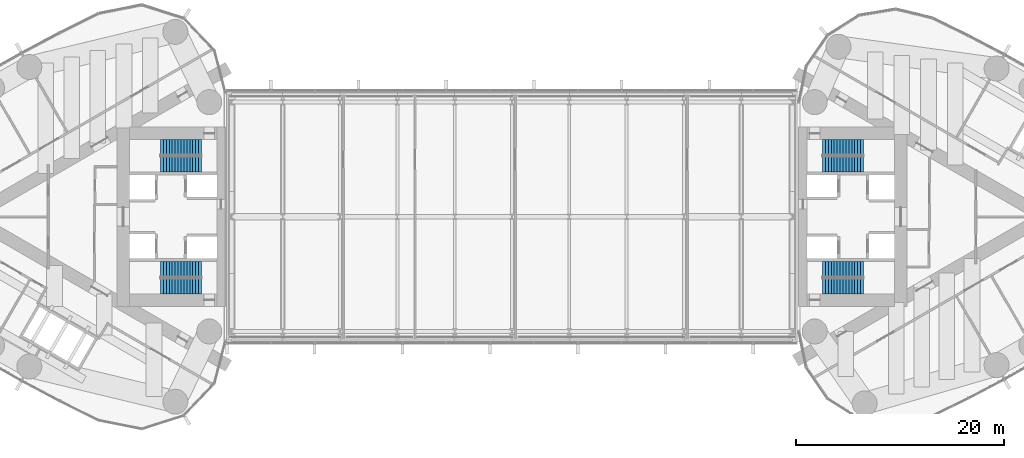
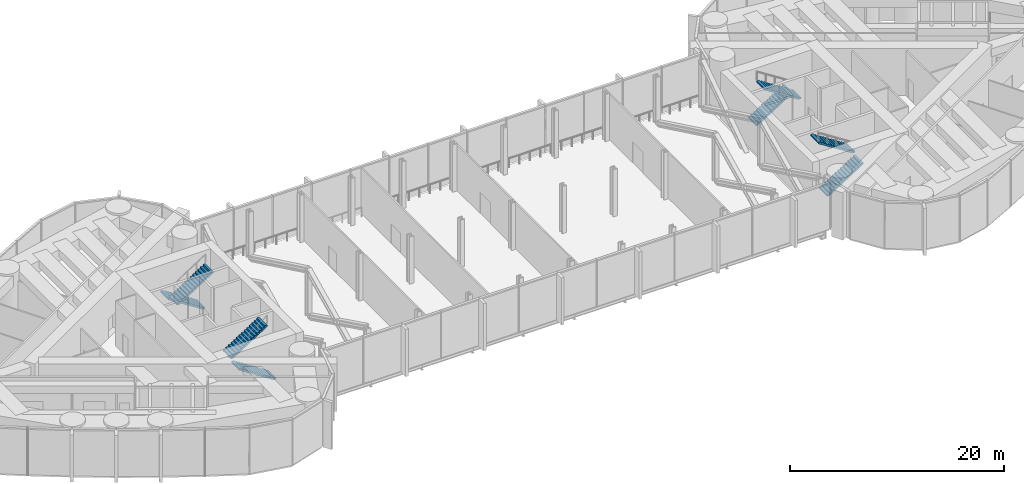
# One storey, part 20 of 21: 8 stair flights, 4 elements without a shape of their own.
"""IFC4 building model written with IfcOpenShell, lengths in metres."""

from ifc_helpers import new_model, si_unit, direction, frame, origin, place, context, subcontext, project, spatial, polyline, outline, extrude, material, type_object, element, aggregate, save


model = new_model("IFC4")

# Units and contexts
model_context = context("Model", 3, precision=1e-05, world=origin(), true_north=direction((0.0, 1.0)))
body_context = subcontext(model_context, "Body", "Model", "MODEL_VIEW")
ifc_project = project(units=[si_unit("LENGTHUNIT", "METRE"), si_unit("AREAUNIT", "SQUARE_METRE"), si_unit("VOLUMEUNIT", "CUBIC_METRE"), si_unit("PLANEANGLEUNIT", "RADIAN"), si_unit("MASSUNIT", "GRAM", prefix="KILO")], contexts=[model_context])

# Site, building, storey
site_placement = place(None, origin())
site = spatial("IfcSite", under=ifc_project, at=site_placement, CompositionType="ELEMENT")
building_placement = place(site_placement, origin())
building = spatial("IfcBuilding", under=site, at=building_placement, Name="Lancet Gate Hotel", CompositionType="ELEMENT")
storey_placement = place(building_placement, frame((0.0, 0.0, 251.89990234375)))
storey = spatial("IfcBuildingStorey", under=building, at=storey_placement, Name="L67", CompositionType="ELEMENT", Elevation=251.89990234375)

# Stair, stair flights
ifc_material_1 = material(Name="Exit stair 30 risers 1500")
stair_type = type_object("IfcStairType", Name="Exit stair 30 risers 1500", PredefinedType="HALF_TURN_STAIR", material=ifc_material_1)
stair_1_placement = place(storey_placement, origin())
stair_1 = element("IfcStair", 1, at=stair_1_placement, inside=storey, type_object=stair_type, Name="T1 stair 1 L67", PredefinedType="HALF_TURN_STAIR")
ifc_material_2 = material(Name="Stair flight 15 risers 180 rise 1500")
stair_flight_type = type_object("IfcStairFlightType", Name="Stair flight 15 risers 180 rise 1500", PredefinedType="STRAIGHT", material=ifc_material_2)
stair_flight_1_placement = place(storey_placement, frame((-29.800048828125, 6.64990234375, 0.0), z_axis=(0.0, 0.0, 1.0), x_axis=(-1.0, 0.0, 0.0)))
stair_flight_1 = element("IfcStairFlight", 2, at=stair_flight_1_placement, type_object=stair_flight_type, Name="ST1 flight 1", NumberOfRisers=15, NumberOfTreads=14, PredefinedType="STRAIGHT", RiserHeight=0.18, TreadLength=0.28, context=body_context, shape_type="SweptSolid", body=[
    extrude(outline(polyline([(0.0, 0.0), (0.0, 0.179931640625), (0.280029296875, 0.179931640625), (0.280029296875, 0.360107421875), (0.56005859375, 0.360107421875), (0.56005859375, 0.5400390625), (0.840087890625, 0.5400390625), (0.840087890625, 0.719970703125), (1.1201171875, 0.719970703125), (1.1201171875, 0.89990234375), (1.39990234375, 0.89990234375), (1.39990234375, 1.080078125), (1.679931640625, 1.080078125), (1.679931640625, 1.260009765625), (1.9599609375, 1.260009765625), (1.9599609375, 1.43994140625), (2.239990234375, 1.43994140625), (2.239990234375, 1.6201171875), (2.52001953125, 1.6201171875), (2.52001953125, 1.800048828125), (2.800048828125, 1.800048828125), (2.800048828125, 1.97998046875), (3.080078125, 1.97998046875), (3.080078125, 2.159912109375), (3.360107421875, 2.159912109375), (3.360107421875, 2.340087890625), (3.639892578125, 2.340087890625), (3.639892578125, 2.52001953125), (3.919921875, 2.52001953125), (3.919921875, 2.699951171875), (3.919921875, 2.341796875), (0.277099609375, 0.0), (0.0, 0.0)])), frame((0.0, 0.75, 0.0), z_axis=(0.0, -1.0, 0.0), x_axis=(1.0, 0.0, 0.0)), (0.0, 0.0, 1.0), 1.5),
])
stair_flight_2_placement = place(storey_placement, frame((-33.719970703125, 5.050048828125, 2.7001953125), z_axis=(0.0, 0.0, 1.0), x_axis=(1.0, 0.0, 0.0)))
stair_flight_2 = element("IfcStairFlight", 3, at=stair_flight_2_placement, type_object=stair_flight_type, Name="ST1 flight 2", NumberOfRisers=15, NumberOfTreads=14, PredefinedType="STRAIGHT", RiserHeight=0.18, TreadLength=0.28, context=body_context, shape_type="SweptSolid", body=[
    extrude(outline(polyline([(0.0, 0.0), (0.0, 0.179931640625), (0.280029296875, 0.179931640625), (0.280029296875, 0.360107421875), (0.56005859375, 0.360107421875), (0.56005859375, 0.5400390625), (0.840087890625, 0.5400390625), (0.840087890625, 0.719970703125), (1.1201171875, 0.719970703125), (1.1201171875, 0.89990234375), (1.39990234375, 0.89990234375), (1.39990234375, 1.080078125), (1.679931640625, 1.080078125), (1.679931640625, 1.260009765625), (1.9599609375, 1.260009765625), (1.9599609375, 1.43994140625), (2.239990234375, 1.43994140625), (2.239990234375, 1.6201171875), (2.52001953125, 1.6201171875), (2.52001953125, 1.800048828125), (2.800048828125, 1.800048828125), (2.800048828125, 1.97998046875), (3.080078125, 1.97998046875), (3.080078125, 2.159912109375), (3.360107421875, 2.159912109375), (3.360107421875, 2.340087890625), (3.639892578125, 2.340087890625), (3.639892578125, 2.52001953125), (3.919921875, 2.52001953125), (3.919921875, 2.699951171875), (3.919921875, 2.341796875), (0.277099609375, 0.0), (0.0, 0.0)])), frame((0.0, 0.75, 0.0), z_axis=(0.0, -1.0, 0.0), x_axis=(1.0, 0.0, 0.0)), (0.0, 0.0, 1.0), 1.5),
])
aggregate(stair_1, [stair_flight_1, stair_flight_2])

stair_2_placement = place(storey_placement, origin())
stair_2 = element("IfcStair", 4, at=stair_2_placement, inside=storey, type_object=stair_type, Name="T1 stair 2 L67", PredefinedType="HALF_TURN_STAIR")
stair_flight_3_placement = place(storey_placement, frame((-29.800048828125, -6.64990234375, 0.0), z_axis=(0.0, 0.0, 1.0), x_axis=(-1.0, 0.0, 0.0)))
stair_flight_3 = element("IfcStairFlight", 5, at=stair_flight_3_placement, type_object=stair_flight_type, Name="ST2 flight 1", NumberOfRisers=15, NumberOfTreads=14, PredefinedType="STRAIGHT", RiserHeight=0.18, TreadLength=0.28, context=body_context, shape_type="SweptSolid", body=[
    extrude(outline(polyline([(0.0, 0.0), (0.0, 0.179931640625), (0.280029296875, 0.179931640625), (0.280029296875, 0.360107421875), (0.56005859375, 0.360107421875), (0.56005859375, 0.5400390625), (0.840087890625, 0.5400390625), (0.840087890625, 0.719970703125), (1.1201171875, 0.719970703125), (1.1201171875, 0.89990234375), (1.39990234375, 0.89990234375), (1.39990234375, 1.080078125), (1.679931640625, 1.080078125), (1.679931640625, 1.260009765625), (1.9599609375, 1.260009765625), (1.9599609375, 1.43994140625), (2.239990234375, 1.43994140625), (2.239990234375, 1.6201171875), (2.52001953125, 1.6201171875), (2.52001953125, 1.800048828125), (2.800048828125, 1.800048828125), (2.800048828125, 1.97998046875), (3.080078125, 1.97998046875), (3.080078125, 2.159912109375), (3.360107421875, 2.159912109375), (3.360107421875, 2.340087890625), (3.639892578125, 2.340087890625), (3.639892578125, 2.52001953125), (3.919921875, 2.52001953125), (3.919921875, 2.699951171875), (3.919921875, 2.341796875), (0.277099609375, 0.0), (0.0, 0.0)])), frame((0.0, 0.75, 0.0), z_axis=(0.0, -1.0, 0.0), x_axis=(1.0, 0.0, 0.0)), (0.0, 0.0, 1.0), 1.5),
])
stair_flight_4_placement = place(storey_placement, frame((-33.719970703125, -5.050048828125, 2.7001953125), z_axis=(0.0, 0.0, 1.0), x_axis=(1.0, 0.0, 0.0)))
stair_flight_4 = element("IfcStairFlight", 6, at=stair_flight_4_placement, type_object=stair_flight_type, Name="ST2 flight 2", NumberOfRisers=15, NumberOfTreads=14, PredefinedType="STRAIGHT", RiserHeight=0.18, TreadLength=0.28, context=body_context, shape_type="SweptSolid", body=[
    extrude(outline(polyline([(0.0, 0.0), (0.0, 0.179931640625), (0.280029296875, 0.179931640625), (0.280029296875, 0.360107421875), (0.56005859375, 0.360107421875), (0.56005859375, 0.5400390625), (0.840087890625, 0.5400390625), (0.840087890625, 0.719970703125), (1.1201171875, 0.719970703125), (1.1201171875, 0.89990234375), (1.39990234375, 0.89990234375), (1.39990234375, 1.080078125), (1.679931640625, 1.080078125), (1.679931640625, 1.260009765625), (1.9599609375, 1.260009765625), (1.9599609375, 1.43994140625), (2.239990234375, 1.43994140625), (2.239990234375, 1.6201171875), (2.52001953125, 1.6201171875), (2.52001953125, 1.800048828125), (2.800048828125, 1.800048828125), (2.800048828125, 1.97998046875), (3.080078125, 1.97998046875), (3.080078125, 2.159912109375), (3.360107421875, 2.159912109375), (3.360107421875, 2.340087890625), (3.639892578125, 2.340087890625), (3.639892578125, 2.52001953125), (3.919921875, 2.52001953125), (3.919921875, 2.699951171875), (3.919921875, 2.341796875), (0.277099609375, 0.0), (0.0, 0.0)])), frame((0.0, 0.75, 0.0), z_axis=(0.0, -1.0, 0.0), x_axis=(1.0, 0.0, 0.0)), (0.0, 0.0, 1.0), 1.5),
])
aggregate(stair_2, [stair_flight_3, stair_flight_4])

stair_3_placement = place(storey_placement, origin())
stair_3 = element("IfcStair", 7, at=stair_3_placement, inside=storey, type_object=stair_type, Name="T2 stair 1 L67", PredefinedType="HALF_TURN_STAIR")
stair_flight_5_placement = place(storey_placement, frame((29.800048828125, -6.64990234375, 0.0), z_axis=(0.0, 0.0, 1.0), x_axis=(1.0, 0.0, 0.0)))
stair_flight_5 = element("IfcStairFlight", 8, at=stair_flight_5_placement, type_object=stair_flight_type, Name="ST3 flight 1", NumberOfRisers=15, NumberOfTreads=14, PredefinedType="STRAIGHT", RiserHeight=0.18, TreadLength=0.28, context=body_context, shape_type="SweptSolid", body=[
    extrude(outline(polyline([(0.0, 0.0), (0.0, 0.179931640625), (0.280029296875, 0.179931640625), (0.280029296875, 0.360107421875), (0.56005859375, 0.360107421875), (0.56005859375, 0.5400390625), (0.840087890625, 0.5400390625), (0.840087890625, 0.719970703125), (1.1201171875, 0.719970703125), (1.1201171875, 0.89990234375), (1.39990234375, 0.89990234375), (1.39990234375, 1.080078125), (1.679931640625, 1.080078125), (1.679931640625, 1.260009765625), (1.9599609375, 1.260009765625), (1.9599609375, 1.43994140625), (2.239990234375, 1.43994140625), (2.239990234375, 1.6201171875), (2.52001953125, 1.6201171875), (2.52001953125, 1.800048828125), (2.800048828125, 1.800048828125), (2.800048828125, 1.97998046875), (3.080078125, 1.97998046875), (3.080078125, 2.159912109375), (3.360107421875, 2.159912109375), (3.360107421875, 2.340087890625), (3.639892578125, 2.340087890625), (3.639892578125, 2.52001953125), (3.919921875, 2.52001953125), (3.919921875, 2.699951171875), (3.919921875, 2.341796875), (0.277099609375, 0.0), (0.0, 0.0)])), frame((0.0, 0.75, 0.0), z_axis=(0.0, -1.0, 0.0), x_axis=(1.0, 0.0, 0.0)), (0.0, 0.0, 1.0), 1.5),
])
stair_flight_6_placement = place(storey_placement, frame((33.719970703125, -5.050048828125, 2.7001953125), z_axis=(0.0, 0.0, 1.0), x_axis=(-1.0, 0.0, 0.0)))
stair_flight_6 = element("IfcStairFlight", 9, at=stair_flight_6_placement, type_object=stair_flight_type, Name="ST3 flight 2", NumberOfRisers=15, NumberOfTreads=14, PredefinedType="STRAIGHT", RiserHeight=0.18, TreadLength=0.28, context=body_context, shape_type="SweptSolid", body=[
    extrude(outline(polyline([(0.0, 0.0), (0.0, 0.179931640625), (0.280029296875, 0.179931640625), (0.280029296875, 0.360107421875), (0.56005859375, 0.360107421875), (0.56005859375, 0.5400390625), (0.840087890625, 0.5400390625), (0.840087890625, 0.719970703125), (1.1201171875, 0.719970703125), (1.1201171875, 0.89990234375), (1.39990234375, 0.89990234375), (1.39990234375, 1.080078125), (1.679931640625, 1.080078125), (1.679931640625, 1.260009765625), (1.9599609375, 1.260009765625), (1.9599609375, 1.43994140625), (2.239990234375, 1.43994140625), (2.239990234375, 1.6201171875), (2.52001953125, 1.6201171875), (2.52001953125, 1.800048828125), (2.800048828125, 1.800048828125), (2.800048828125, 1.97998046875), (3.080078125, 1.97998046875), (3.080078125, 2.159912109375), (3.360107421875, 2.159912109375), (3.360107421875, 2.340087890625), (3.639892578125, 2.340087890625), (3.639892578125, 2.52001953125), (3.919921875, 2.52001953125), (3.919921875, 2.699951171875), (3.919921875, 2.341796875), (0.277099609375, 0.0), (0.0, 0.0)])), frame((0.0, 0.75, 0.0), z_axis=(0.0, -1.0, 0.0), x_axis=(1.0, 0.0, 0.0)), (0.0, 0.0, 1.0), 1.5),
])
aggregate(stair_3, [stair_flight_5, stair_flight_6])

stair_4_placement = place(storey_placement, origin())
stair_4 = element("IfcStair", 10, at=stair_4_placement, inside=storey, type_object=stair_type, Name="T2 stair 2 L67", PredefinedType="HALF_TURN_STAIR")
stair_flight_7_placement = place(storey_placement, frame((29.800048828125, 6.64990234375, 0.0), z_axis=(0.0, 0.0, 1.0), x_axis=(1.0, 0.0, 0.0)))
stair_flight_7 = element("IfcStairFlight", 11, at=stair_flight_7_placement, type_object=stair_flight_type, Name="ST4 flight 1", NumberOfRisers=15, NumberOfTreads=14, PredefinedType="STRAIGHT", RiserHeight=0.18, TreadLength=0.28, context=body_context, shape_type="SweptSolid", body=[
    extrude(outline(polyline([(0.0, 0.0), (0.0, 0.179931640625), (0.280029296875, 0.179931640625), (0.280029296875, 0.360107421875), (0.56005859375, 0.360107421875), (0.56005859375, 0.5400390625), (0.840087890625, 0.5400390625), (0.840087890625, 0.719970703125), (1.1201171875, 0.719970703125), (1.1201171875, 0.89990234375), (1.39990234375, 0.89990234375), (1.39990234375, 1.080078125), (1.679931640625, 1.080078125), (1.679931640625, 1.260009765625), (1.9599609375, 1.260009765625), (1.9599609375, 1.43994140625), (2.239990234375, 1.43994140625), (2.239990234375, 1.6201171875), (2.52001953125, 1.6201171875), (2.52001953125, 1.800048828125), (2.800048828125, 1.800048828125), (2.800048828125, 1.97998046875), (3.080078125, 1.97998046875), (3.080078125, 2.159912109375), (3.360107421875, 2.159912109375), (3.360107421875, 2.340087890625), (3.639892578125, 2.340087890625), (3.639892578125, 2.52001953125), (3.919921875, 2.52001953125), (3.919921875, 2.699951171875), (3.919921875, 2.341796875), (0.277099609375, 0.0), (0.0, 0.0)])), frame((0.0, 0.75, 0.0), z_axis=(0.0, -1.0, 0.0), x_axis=(1.0, 0.0, 0.0)), (0.0, 0.0, 1.0), 1.5),
])
stair_flight_8_placement = place(storey_placement, frame((33.719970703125, 5.050048828125, 2.7001953125), z_axis=(0.0, 0.0, 1.0), x_axis=(-1.0, 0.0, 0.0)))
stair_flight_8 = element("IfcStairFlight", 12, at=stair_flight_8_placement, type_object=stair_flight_type, Name="ST4 flight 2", NumberOfRisers=15, NumberOfTreads=14, PredefinedType="STRAIGHT", RiserHeight=0.18, TreadLength=0.28, context=body_context, shape_type="SweptSolid", body=[
    extrude(outline(polyline([(0.0, 0.0), (0.0, 0.179931640625), (0.280029296875, 0.179931640625), (0.280029296875, 0.360107421875), (0.56005859375, 0.360107421875), (0.56005859375, 0.5400390625), (0.840087890625, 0.5400390625), (0.840087890625, 0.719970703125), (1.1201171875, 0.719970703125), (1.1201171875, 0.89990234375), (1.39990234375, 0.89990234375), (1.39990234375, 1.080078125), (1.679931640625, 1.080078125), (1.679931640625, 1.260009765625), (1.9599609375, 1.260009765625), (1.9599609375, 1.43994140625), (2.239990234375, 1.43994140625), (2.239990234375, 1.6201171875), (2.52001953125, 1.6201171875), (2.52001953125, 1.800048828125), (2.800048828125, 1.800048828125), (2.800048828125, 1.97998046875), (3.080078125, 1.97998046875), (3.080078125, 2.159912109375), (3.360107421875, 2.159912109375), (3.360107421875, 2.340087890625), (3.639892578125, 2.340087890625), (3.639892578125, 2.52001953125), (3.919921875, 2.52001953125), (3.919921875, 2.699951171875), (3.919921875, 2.341796875), (0.277099609375, 0.0), (0.0, 0.0)])), frame((0.0, 0.75, 0.0), z_axis=(0.0, -1.0, 0.0), x_axis=(1.0, 0.0, 0.0)), (0.0, 0.0, 1.0), 1.5),
])
aggregate(stair_4, [stair_flight_7, stair_flight_8])

save(model, "model.ifc")
